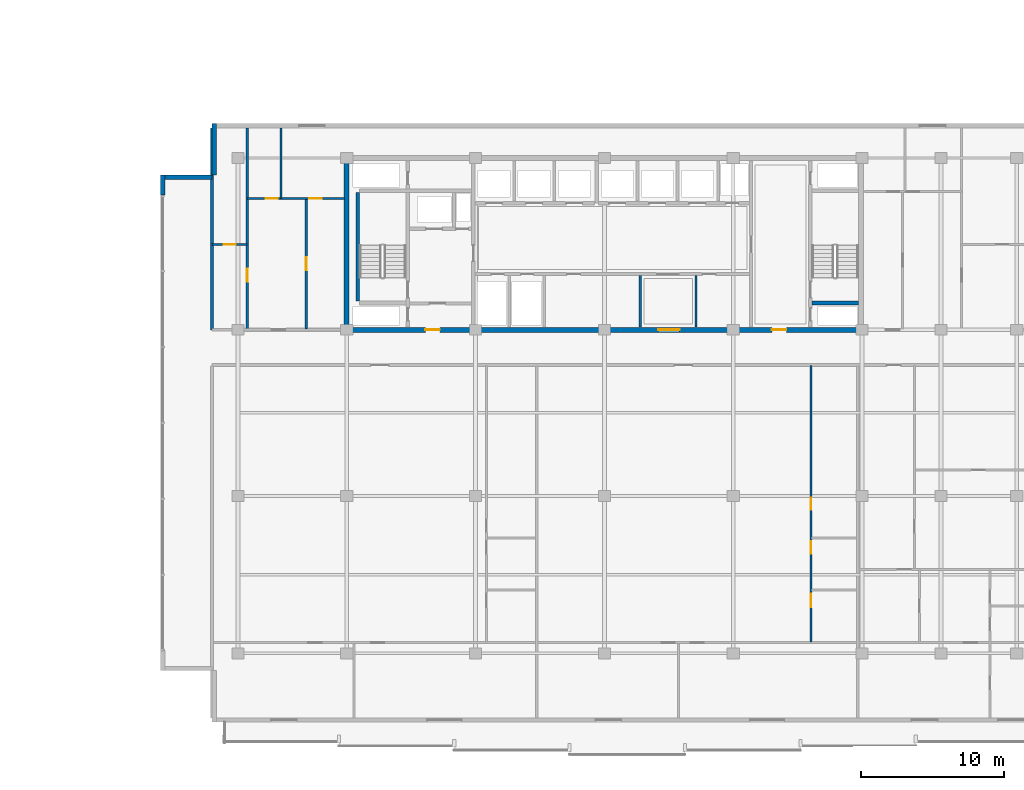
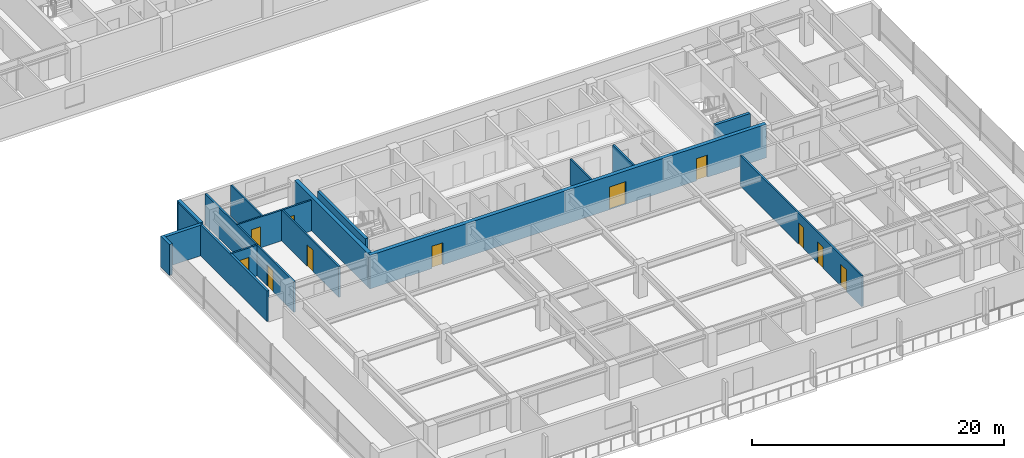
# One storey, part 22 of 38: 16 walls, 11 doors, 11 openings.
"""IFC4 building model written with IfcOpenShell, lengths in metres."""

import ifcopenshell
import ifcopenshell.guid

model = None  # the IFC model being written
_history = None  # IfcOwnerHistory: only IFC2X3 demands one
_inside = {}  # id of a spatial element -> (the spatial element, [elements in it])
_under = {}  # id of a project, library or spatial element -> (it, [spatial elements below it])
_declared = {}  # id of a project -> (the project, [libraries it declares])
_typed = {}  # id of a type object -> (the type object, [elements of that type])
_made_of = {}  # id of a material, layer set ... -> (it, [elements and type objects made of it])


def new_model(schema):
    """Start an empty IFC model of exactly this schema.

    Asked for "IFC4X3", IfcOpenShell would pick the latest addendum, in which some entities
    have other attributes; the version numbers below select the first issue.
    IFC2X3 requires an IfcOwnerHistory on every rooted entity: one is made here for all.
    """
    global model, _history
    if schema == "IFC4X3":
        model = ifcopenshell.file(schema_version=(4, 3, 0, 0))
    else:
        model = ifcopenshell.file(schema=schema)
    _inside.clear()
    _under.clear()
    _declared.clear()
    _typed.clear()
    _made_of.clear()
    _history = None
    if model.schema == "IFC2X3":
        org = make("IfcOrganization", Name="unknown")
        user = make(
            "IfcPersonAndOrganization",
            ThePerson=make("IfcPerson", FamilyName="unknown"),
            TheOrganization=org,
        )
        app = make(
            "IfcApplication",
            ApplicationDeveloper=org,
            Version="unknown",
            ApplicationFullName="unknown",
            ApplicationIdentifier="unknown",
        )
        _history = make(
            "IfcOwnerHistory",
            OwningUser=user,
            OwningApplication=app,
            ChangeAction="ADDED",
            CreationDate=0,
        )
    return model


def make(cls, **values):
    """One entity of the class cls with the attributes given. An attribute that is None is left unset."""
    return model.create_entity(
        cls, **{name: value for name, value in values.items() if value is not None}
    )


def rooted(cls, **values):
    """An entity with a GlobalId (a new one), such as an element, a storey or a relation."""
    return make(cls, GlobalId=ifcopenshell.guid.new(), OwnerHistory=_history, **values)


def si_unit(unit_type, name, prefix=None):
    """IfcSIUnit, for example si_unit("LENGTHUNIT", "METRE", prefix="MILLI")."""
    return make("IfcSIUnit", UnitType=unit_type, Prefix=prefix, Name=name)


def assignment(units):
    """IfcUnitAssignment: the units of a project."""
    return None if units is None else make("IfcUnitAssignment", Units=units)


def point(xyz):
    """IfcCartesianPoint."""
    return None if xyz is None else make("IfcCartesianPoint", Coordinates=xyz)


def direction(xyz):
    """IfcDirection."""
    return None if xyz is None else make("IfcDirection", DirectionRatios=xyz)


def frame(location, z_axis=None, x_axis=None):
    """IfcAxis2Placement3D, a coordinate frame: its origin and axes. An axis left out is left unset."""
    return make(
        "IfcAxis2Placement3D",
        Location=point(location),
        Axis=direction(z_axis),
        RefDirection=direction(x_axis),
    )


def frame_2d(location, x_axis=None):
    """IfcAxis2Placement2D, a coordinate frame in the plane: its origin and x axis."""
    return make(
        "IfcAxis2Placement2D", Location=point(location), RefDirection=direction(x_axis)
    )


def origin():
    """The frame at (0, 0, 0) with its axes left unset."""
    return frame((0.0, 0.0, 0.0))


def place(relative_to, where):
    """IfcLocalPlacement: puts the frame where relative to a parent placement (None: the world)."""
    return make(
        "IfcLocalPlacement", PlacementRelTo=relative_to, RelativePlacement=where
    )


def context(
    kind, dimensions, precision=None, world=None, true_north=None, identifier=None
):
    """IfcGeometricRepresentationContext, for example the 3D "Model" context."""
    return make(
        "IfcGeometricRepresentationContext",
        ContextIdentifier=identifier,
        ContextType=kind,
        CoordinateSpaceDimension=dimensions,
        Precision=precision,
        WorldCoordinateSystem=world,
        TrueNorth=true_north,
    )


def subcontext(parent, identifier, kind, view, scale=None):
    """IfcGeometricRepresentationSubContext, for example "Body" below "Model"."""
    return make(
        "IfcGeometricRepresentationSubContext",
        ContextIdentifier=identifier,
        ContextType=kind,
        ParentContext=parent,
        TargetScale=scale,
        TargetView=view,
    )


def project(units=None, contexts=None):
    """IfcProject with its units and contexts."""
    return rooted(
        "IfcProject",
        Name="project",
        RepresentationContexts=contexts,
        UnitsInContext=assignment(units),
    )


def spatial(cls, under=None, at=None, **own):
    """A site, building, storey or space (cls), placed at a placement, below another one or the project."""
    s = rooted(cls, ObjectPlacement=at, **own)
    if under is not None:
        _under.setdefault(under.id(), (under, []))[1].append(s)
    return s


def profile(cls, at=None, kind="AREA", **sizes):
    """A parametric profile (cls). Its sizes go by their IFC names, for example OverallWidth=200.0."""
    return make(cls, ProfileType=kind, Position=at, **sizes)


def rectangle(**sizes):
    """IfcRectangleProfileDef."""
    return profile("IfcRectangleProfileDef", **sizes)


def extrude(swept, where, along, depth):
    """IfcExtrudedAreaSolid: the profile swept, set in the frame where, extruded along a direction by depth."""
    return make(
        "IfcExtrudedAreaSolid",
        SweptArea=swept,
        Position=where,
        ExtrudedDirection=direction(along),
        Depth=depth,
    )


def shape(context_of_items, identifier, shape_type, items):
    """IfcShapeRepresentation: the items that make up one representation, for example the "Body"."""
    return make(
        "IfcShapeRepresentation",
        ContextOfItems=context_of_items,
        RepresentationIdentifier=identifier,
        RepresentationType=shape_type,
        Items=items,
    )


def material(Name=None, Category=None):
    """IfcMaterial."""
    return make("IfcMaterial", Name=Name, Category=Category)


def layer(
    of_material, thickness, ventilated=None, Name=None, Category=None, Priority=None
):
    """IfcMaterialLayer: one layer of a wall or slab, of a material (None: an air gap)."""
    return make(
        "IfcMaterialLayer",
        Material=of_material,
        LayerThickness=thickness,
        IsVentilated=ventilated,
        Name=Name,
        Category=Category,
        Priority=Priority,
    )


def layer_set(layers, Name=None):
    """IfcMaterialLayerSet."""
    return make("IfcMaterialLayerSet", MaterialLayers=layers, LayerSetName=Name)


def made_of(thing, what):
    """Note that an element or type object is made of a material, layer set ...; save() writes the relation."""
    if what is not None:
        _made_of.setdefault(what.id(), (what, []))[1].append(thing)
    return thing


def type_object(cls, material=None, **own):
    """A type object (cls), such as IfcWallType, which elements share."""
    return made_of(rooted(cls, **own), material)


def element(
    cls,
    number,
    at=None,
    inside=None,
    cuts=None,
    type_object=None,
    material=None,
    context=None,
    identifier="Body",
    shape_type=None,
    held_by="IfcProductDefinitionShape",
    body=None,
    shapes=None,
    **own,
):
    """One element of the class cls, such as IfcWall. Its Tag is "e" and its number.

    at: its placement. inside: the storey or other place that contains it. cuts: it is an
    opening in that element (IfcRelVoidsElement). A single representation is given by context,
    identifier, shape_type and body (its items); several are given by shapes. held_by: the class
    of the entity that holds the representations. save() writes the other relations.
    """
    e = rooted(cls, Tag="e%d" % number, ObjectPlacement=at, **own)
    if body is not None:
        shapes = [shape(context, identifier, shape_type, body)]
    if shapes is not None:
        e.Representation = make(held_by, Representations=shapes)
    if inside is not None:
        _inside.setdefault(inside.id(), (inside, []))[1].append(e)
    if cuts is not None:
        rooted(
            "IfcRelVoidsElement", RelatingBuildingElement=cuts, RelatedOpeningElement=e
        )
    if type_object is not None:
        _typed.setdefault(type_object.id(), (type_object, []))[1].append(e)
    return made_of(e, material)


def fill(opening, filler):
    """IfcRelFillsElement: the door or window that sits in an opening."""
    return rooted(
        "IfcRelFillsElement",
        RelatingOpeningElement=opening,
        RelatedBuildingElement=filler,
    )


def aggregate(whole, parts):
    """IfcRelAggregates: a whole, such as a stair, and the parts it consists of."""
    return rooted("IfcRelAggregates", RelatingObject=whole, RelatedObjects=parts)


def save(model, path):
    """Write the relations noted so far, then the file.

    IfcRelAggregates (storeys below a building ...), IfcRelContainedInSpatialStructure (elements
    in a storey), IfcRelDefinesByType, IfcRelAssociatesMaterial and IfcRelDeclares: one each for
    every whole, place, type object, material and project.
    """
    for whole, parts in _under.values():
        aggregate(whole, parts)
    for where, things in _inside.values():
        rooted(
            "IfcRelContainedInSpatialStructure",
            RelatedElements=things,
            RelatingStructure=where,
        )
    for kind, things in _typed.values():
        rooted("IfcRelDefinesByType", RelatedObjects=things, RelatingType=kind)
    for what, things in _made_of.values():
        rooted("IfcRelAssociatesMaterial", RelatedObjects=things, RelatingMaterial=what)
    for by, libraries in _declared.values():
        rooted("IfcRelDeclares", RelatingContext=by, RelatedDefinitions=libraries)
    model.write(path)


model = new_model("IFC4")

# Units and contexts
model_context = context("Model", 3, precision=1e-05, world=origin(), true_north=direction((0.0, 1.0)))
body_context = subcontext(model_context, "Body", "Model", "MODEL_VIEW")
ifc_project = project(units=[si_unit("LENGTHUNIT", "METRE"), si_unit("AREAUNIT", "SQUARE_METRE"), si_unit("VOLUMEUNIT", "CUBIC_METRE"), si_unit("PLANEANGLEUNIT", "RADIAN"), si_unit("MASSUNIT", "GRAM", prefix="KILO")], contexts=[model_context])

# Site, building, storey
site_placement = place(None, origin())
site = spatial("IfcSite", under=ifc_project, at=site_placement, CompositionType="ELEMENT")
building_placement = place(site_placement, origin())
building = spatial("IfcBuilding", under=site, at=building_placement, Name="Korimba Cascade Residences", CompositionType="ELEMENT")
storey_placement = place(building_placement, frame((0.0, 0.0, 93.800048828125)))
storey = spatial("IfcBuildingStorey", under=building, at=storey_placement, Name="L26", CompositionType="ELEMENT", Elevation=93.800048828125)

# Walls
ifc_material_1 = material(Name="Precast concrete C40/50", Category="concrete")
ifc_layer_1 = layer(ifc_material_1, 0.300048828125)
ifc_layer_set_1 = layer_set([ifc_layer_1], Name="Precast concrete C40/50")
wall_type_1 = type_object("IfcWallType", Name="EW-STONE-300", PredefinedType="STANDARD", material=ifc_layer_set_1)
wall_1_placement = place(storey_placement, frame((72.85009765625, 32.800048828125, 0.0), z_axis=(0.0, 0.0, 1.0), x_axis=(0.0, -1.0, 0.0)))
element("IfcWall", 1, at=wall_1_placement, inside=storey, type_object=wall_type_1, Name="L26 T2 Perimeter Stone Wall E07", PredefinedType="STANDARD", context=body_context, shape_type="SweptSolid", body=[
    extrude(rectangle(XDim=3.60009765625, YDim=0.300048828125, at=frame_2d((1.800048828125, 0.0))), origin(), (0.0, 0.0, 1.0), 2.969970703125),
])
wall_2_placement = place(storey_placement, frame((72.699951171875, 29.050048828125, 0.0), z_axis=(0.0, 0.0, 1.0), x_axis=(-1.0, 0.0, 0.0)))
element("IfcWall", 2, at=wall_2_placement, inside=storey, type_object=wall_type_1, Name="L26 T2 Perimeter Stone Wall E08", PredefinedType="STANDARD", context=body_context, shape_type="SweptSolid", body=[
    extrude(rectangle(XDim=3.599853515625, YDim=0.300048828125, at=frame_2d((1.7998046875, 0.0))), origin(), (0.0, 0.0, 1.0), 2.969970703125),
])
wall_3_placement = place(storey_placement, frame((69.25, 29.199951171875, 0.0), z_axis=(0.0, 0.0, 1.0), x_axis=(0.0, -1.0, 0.0)))
element("IfcWall", 3, at=wall_3_placement, inside=storey, type_object=wall_type_1, Name="L26 T2 Sky Pier 9A", PredefinedType="STANDARD", context=body_context, shape_type="SweptSolid", body=[
    extrude(rectangle(XDim=1.39990234375, YDim=0.300048828125, at=frame_2d((0.699951171875, 0.0))), origin(), (0.0, 0.0, 1.0), 2.969970703125),
])
ifc_material_2 = material(Name="Concrete C65/80", Category="concrete")
ifc_layer_2 = layer(ifc_material_2, 0.35009765625)
ifc_layer_set_2 = layer_set([ifc_layer_2], Name="Concrete C65/80")
wall_type_2 = type_object("IfcWallType", Name="WAL-CORE-350", PredefinedType="SHEAR", material=ifc_layer_set_2)
wall_4_placement = place(storey_placement, frame((82.10009765625, 18.574951171875, 0.0), z_axis=(0.0, 0.0, 1.0), x_axis=(0.0, 1.0, 0.0)))
element("IfcWall", 4, at=wall_4_placement, inside=storey, type_object=wall_type_2, Name="L26 Core Shear Wall CW-L26-T2-W", PredefinedType="SHEAR", context=body_context, shape_type="SweptSolid", body=[
    extrude(rectangle(XDim=11.650146484375, YDim=0.35009765625, at=frame_2d((5.8251953125, 0.0))), origin(), (0.0, 0.0, 1.0), 3.25),
])

# Wall, openings, doors
wall_5_placement = place(storey_placement, frame((81.925048828125, 18.39990234375, 0.0), z_axis=(0.0, 0.0, 1.0), x_axis=(1.0, 0.0, 0.0)))
wall_5 = element("IfcWall", 5, at=wall_5_placement, inside=storey, type_object=wall_type_2, Name="L26 Core Shear Wall CW-L26-T2-S", PredefinedType="SHEAR", context=body_context, shape_type="SweptSolid", body=[
    extrude(rectangle(XDim=36.264892578125, YDim=0.35009765625, at=frame_2d((18.13232421875, 0.0))), origin(), (0.0, 0.0, 1.0), 3.25),
])
opening_1_placement = place(wall_5_placement, frame((5.675048828125, 0.0, 0.0)))
opening_1 = element("IfcOpeningElement", 6, at=opening_1_placement, cuts=wall_5, Name="Opening D-FD5", PredefinedType="OPENING", context=body_context, shape_type="SweptSolid", body=[
    extrude(rectangle(XDim=1.0, YDim=2.14990234375, at=frame_2d((0.5, 1.074951171875))), frame((0.0, 0.18505859375, 0.0), z_axis=(0.0, -1.0, 0.0), x_axis=(1.0, 0.0, 0.0)), (0.0, 0.0, 1.0), 0.3701171875),
])
opening_2_placement = place(wall_5_placement, frame((21.925048828125, 0.0, 0.0)))
opening_2 = element("IfcOpeningElement", 7, at=opening_2_placement, cuts=wall_5, Name="Opening D-FD8", PredefinedType="OPENING", context=body_context, shape_type="SweptSolid", body=[
    extrude(rectangle(XDim=1.5, YDim=2.199951171875, at=frame_2d((0.75, 1.10009765625))), frame((0.0, 0.18505859375, 0.0), z_axis=(0.0, -1.0, 0.0), x_axis=(1.0, 0.0, 0.0)), (0.0, 0.0, 1.0), 0.3701171875),
])
opening_3_placement = place(wall_5_placement, frame((29.875, 0.0, 0.0)))
opening_3 = element("IfcOpeningElement", 8, at=opening_3_placement, cuts=wall_5, Name="Opening D-FD5", PredefinedType="OPENING", context=body_context, shape_type="SweptSolid", body=[
    extrude(rectangle(XDim=1.0, YDim=2.14990234375, at=frame_2d((0.5, 1.074951171875))), frame((0.0, 0.18505859375, 0.0), z_axis=(0.0, -1.0, 0.0), x_axis=(1.0, 0.0, 0.0)), (0.0, 0.0, 1.0), 0.3701171875),
])
ifc_material_3 = material(Name="Fire-Rated Acoustic Timber Vestibule Door", Category="wood")
door_type_1 = type_object("IfcDoorType", Name="DR-FD90-1000", OperationType="NOTDEFINED", PredefinedType="DOOR", material=ifc_material_3)
door_1_placement = place(opening_1_placement, origin())
door_1 = element("IfcDoor", 9, at=door_1_placement, inside=storey, type_object=door_type_1, Name="L26 T2 West Core Vestibule Fire Door", OperationType="SINGLE_SWING_RIGHT", OverallHeight=2.14990234375, OverallWidth=1.0, PredefinedType="DOOR", context=body_context, shape_type="SweptSolid", body=[
    extrude(rectangle(XDim=1.0, YDim=2.14990234375, at=frame_2d((0.5, 1.074951171875))), frame((0.0, 0.02490234375, 0.0), z_axis=(0.0, -1.0, 0.0), x_axis=(1.0, 0.0, 0.0)), (0.0, 0.0, 1.0), 0.050048828125),
])
fill(opening_1, door_1)
door_2_placement = place(opening_3_placement, origin())
door_2 = element("IfcDoor", 10, at=door_2_placement, inside=storey, type_object=door_type_1, Name="L26 T2 East Stair Vestibule Fire Door", OperationType="SINGLE_SWING_LEFT", OverallHeight=2.14990234375, OverallWidth=1.0, PredefinedType="DOOR", context=body_context, shape_type="SweptSolid", body=[
    extrude(rectangle(XDim=1.0, YDim=2.14990234375, at=frame_2d((0.5, 1.074951171875))), frame((0.0, 0.02490234375, 0.0), z_axis=(0.0, -1.0, 0.0), x_axis=(1.0, 0.0, 0.0)), (0.0, 0.0, 1.0), 0.050048828125),
])
fill(opening_3, door_2)
ifc_material_4 = material(Name="Fire-Rated Glazed Lift Lobby Double Door", Category="glass")
door_type_2 = type_object("IfcDoorType", Name="DR-FD90-1500", OperationType="NOTDEFINED", PredefinedType="DOOR", material=ifc_material_4)
door_3_placement = place(opening_2_placement, origin())
door_3 = element("IfcDoor", 11, at=door_3_placement, inside=storey, type_object=door_type_2, Name="L26 T2 Lift Lobby Fire Door", OperationType="DOUBLE_DOOR_SINGLE_SWING", OverallHeight=2.199951171875, OverallWidth=1.5, PredefinedType="DOOR", context=body_context, shape_type="SweptSolid", body=[
    extrude(rectangle(XDim=1.5, YDim=2.199951171875, at=frame_2d((0.75, 1.10009765625))), frame((0.0, 0.02490234375, 0.0), z_axis=(0.0, -1.0, 0.0), x_axis=(1.0, 0.0, 0.0)), (0.0, 0.0, 1.0), 0.050048828125),
])
fill(opening_2, door_3)

# Walls
ifc_layer_3 = layer(ifc_material_1, 0.199951171875)
ifc_layer_set_3 = layer_set([ifc_layer_3], Name="Precast concrete C40/50")
wall_type_3 = type_object("IfcWallType", Name="WAL-IT-200", PredefinedType="PARTITIONING", material=ifc_layer_set_3)
wall_6_placement = place(storey_placement, frame((72.699951171875, 18.39990234375, 0.0), z_axis=(0.0, 0.0, 1.0), x_axis=(0.0, 1.0, 0.0)))
element("IfcWall", 12, at=wall_6_placement, inside=storey, type_object=wall_type_3, Name="L26 Partition Wall WAL-L26-T2-FW-WL", PredefinedType="PARTITIONING", context=body_context, shape_type="SweptSolid", body=[
    extrude(rectangle(XDim=14.10009765625, YDim=0.199951171875, at=frame_2d((7.050048828125, 0.0))), origin(), (0.0, 0.0, 1.0), 2.969970703125),
])
ifc_material_5 = material(Name="Insulated Acoustic Stud Partition", Category="gypsum")
ifc_layer_4 = layer(ifc_material_5, 0.14990234375)
ifc_layer_set_4 = layer_set([ifc_layer_4], Name="Insulated Acoustic Stud Partition")
wall_type_4 = type_object("IfcWallType", Name="WAL-PART-150", PredefinedType="PARTITIONING", material=ifc_layer_set_4)
for number, where, z_axis, x_axis, name in (
    (13, (102.60009765625, 18.60009765625, 0.0), (0.0, 0.0, 1.0), (0.0, 1.0, 0.0), "L26 Partition Wall CW-L26-T2-THW"),
    (14, (106.5, 18.60009765625, 0.0), (0.0, 0.0, 1.0), (0.0, 1.0, 0.0), "L26 Partition Wall CW-L26-T2-THE"),
):
    element("IfcWall", number, at=place(storey_placement, frame(where, z_axis=z_axis, x_axis=x_axis)), inside=storey, type_object=wall_type_4, Name=name, PredefinedType="PARTITIONING", context=body_context, shape_type="SweptSolid", body=[
        extrude(rectangle(XDim=3.599853515625, YDim=0.14990234375, at=frame_2d((1.7998046875, 0.0))), origin(), (0.0, 0.0, 1.0), 2.969970703125),
    ])

# Wall, opening, door
wall_7_placement = place(storey_placement, frame((72.699951171875, 24.35009765625, 0.0), z_axis=(0.0, 0.0, 1.0), x_axis=(1.0, 0.0, 0.0)))
wall_7 = element("IfcWall", 15, at=wall_7_placement, inside=storey, type_object=wall_type_4, Name="L26 Partition Wall WAL-L26-T2-FW-STH", PredefinedType="PARTITIONING", context=body_context, shape_type="SweptSolid", body=[
    extrude(rectangle(XDim=2.449951171875, YDim=0.14990234375, at=frame_2d((1.22509765625, 0.0))), origin(), (0.0, 0.0, 1.0), 2.969970703125),
])
opening_4_placement = place(wall_7_placement, frame((0.804931640625, 0.0, 0.0)))
opening_4 = element("IfcOpeningElement", 16, at=opening_4_placement, cuts=wall_7, Name="Opening D-BT1", PredefinedType="OPENING", context=body_context, shape_type="SweptSolid", body=[
    extrude(rectangle(XDim=0.840087890625, YDim=2.0400390625, at=frame_2d((0.419921875, 1.02001953125))), frame((0.0, 0.0849609375, 0.0), z_axis=(0.0, -1.0, 0.0), x_axis=(1.0, 0.0, 0.0)), (0.0, 0.0, 1.0), 0.169921875),
])
ifc_material_6 = material(Name="Moisture-Resistant Bathroom Timber Door", Category="wood")
door_type_3 = type_object("IfcDoorType", Name="DR-INT-850", OperationType="NOTDEFINED", PredefinedType="DOOR", material=ifc_material_6)
door_4_placement = place(opening_4_placement, origin())
door_4 = element("IfcDoor", 17, at=door_4_placement, inside=storey, type_object=door_type_3, Name="L26-T2-FW Dressing Store Door", OperationType="SINGLE_SWING_LEFT", OverallHeight=2.0400390625, OverallWidth=0.840087890625, PredefinedType="DOOR", context=body_context, shape_type="SweptSolid", body=[
    extrude(rectangle(XDim=0.840087890625, YDim=2.0400390625, at=frame_2d((0.419921875, 1.02001953125))), frame((0.0, 0.02490234375, 0.0), z_axis=(0.0, -1.0, 0.0), x_axis=(1.0, 0.0, 0.0)), (0.0, 0.0, 1.0), 0.050048828125),
])
fill(opening_4, door_4)

wall_8_placement = place(storey_placement, frame((75.14990234375, 18.449951171875, 0.0), z_axis=(0.0, 0.0, 1.0), x_axis=(0.0, 1.0, 0.0)))
wall_8 = element("IfcWall", 18, at=wall_8_placement, inside=storey, type_object=wall_type_4, Name="L26 Partition Wall WAL-L26-T2-FW-STV", PredefinedType="PARTITIONING", context=body_context, shape_type="SweptSolid", body=[
    extrude(rectangle(XDim=14.050048828125, YDim=0.14990234375, at=frame_2d((7.02490234375, 0.0))), origin(), (0.0, 0.0, 1.0), 2.969970703125),
])
opening_5_placement = place(wall_8_placement, frame((3.320068359375, 0.0, 0.0)))
opening_5 = element("IfcOpeningElement", 19, at=opening_5_placement, cuts=wall_8, Name="Opening D-IN2", PredefinedType="OPENING", context=body_context, shape_type="SweptSolid", body=[
    extrude(rectangle(XDim=0.8798828125, YDim=2.06005859375, at=frame_2d((0.43994140625, 1.030029296875))), frame((0.0, 0.0849609375, 0.0), z_axis=(0.0, -1.0, 0.0), x_axis=(1.0, 0.0, 0.0)), (0.0, 0.0, 1.0), 0.169921875),
])
ifc_material_7 = material(Name="Acoustic Timber Bedroom Door", Category="wood")
door_type_4 = type_object("IfcDoorType", Name="DR-INT-880", OperationType="NOTDEFINED", PredefinedType="DOOR", material=ifc_material_7)
door_5_placement = place(opening_5_placement, origin())
door_5 = element("IfcDoor", 20, at=door_5_placement, inside=storey, type_object=door_type_4, Name="L26-T2-FW Study Door", OperationType="SINGLE_SWING_RIGHT", OverallHeight=2.06005859375, OverallWidth=0.8798828125, PredefinedType="DOOR", context=body_context, shape_type="SweptSolid", body=[
    extrude(rectangle(XDim=0.8798828125, YDim=2.06005859375, at=frame_2d((0.43994140625, 1.030029296875))), frame((0.0, 0.02490234375, 0.0), z_axis=(0.0, -1.0, 0.0), x_axis=(1.0, 0.0, 0.0)), (0.0, 0.0, 1.0), 0.050048828125),
])
fill(opening_5, door_5)

wall_9_placement = place(storey_placement, frame((79.27001953125, 18.449951171875, 0.0), z_axis=(0.0, 0.0, 1.0), x_axis=(0.0, 1.0, 0.0)))
wall_9 = element("IfcWall", 21, at=wall_9_placement, inside=storey, type_object=wall_type_4, Name="L26 Partition Wall WAL-L26-T2-FW-VS", PredefinedType="PARTITIONING", context=body_context, shape_type="SweptSolid", body=[
    extrude(rectangle(XDim=9.1201171875, YDim=0.14990234375, at=frame_2d((4.56005859375, 0.0))), origin(), (0.0, 0.0, 1.0), 2.969970703125),
])
opening_6_placement = place(wall_9_placement, frame((4.10009765625, 0.0, 0.0)))
opening_6 = element("IfcOpeningElement", 22, at=opening_6_placement, cuts=wall_9, Name="Opening D-IN1", PredefinedType="OPENING", context=body_context, shape_type="SweptSolid", body=[
    extrude(rectangle(XDim=0.919921875, YDim=2.080078125, at=frame_2d((0.4599609375, 1.0400390625))), frame((0.0, 0.0849609375, 0.0), z_axis=(0.0, -1.0, 0.0), x_axis=(1.0, 0.0, 0.0)), (0.0, 0.0, 1.0), 0.169921875),
])
ifc_material_8 = material(Name="Acoustic Timber Living Door", Category="wood")
door_type_5 = type_object("IfcDoorType", Name="DR-INT-920", OperationType="NOTDEFINED", PredefinedType="DOOR", material=ifc_material_8)
door_6_placement = place(opening_6_placement, origin())
door_6 = element("IfcDoor", 23, at=door_6_placement, inside=storey, type_object=door_type_5, Name="L26-T2-FW Living Door", OperationType="SINGLE_SWING_LEFT", OverallHeight=2.080078125, OverallWidth=0.919921875, PredefinedType="DOOR", context=body_context, shape_type="SweptSolid", body=[
    extrude(rectangle(XDim=0.919921875, YDim=2.080078125, at=frame_2d((0.4599609375, 1.0400390625))), frame((0.0, 0.02490234375, 0.0), z_axis=(0.0, -1.0, 0.0), x_axis=(1.0, 0.0, 0.0)), (0.0, 0.0, 1.0), 0.050048828125),
])
fill(opening_6, door_6)

# Wall
wall_10_placement = place(storey_placement, frame((77.5, 27.570068359375, 0.0), z_axis=(0.0, 0.0, 1.0), x_axis=(0.0, 1.0, 0.0)))
element("IfcWall", 24, at=wall_10_placement, inside=storey, type_object=wall_type_4, Name="L26 Partition Wall WAL-L26-T2-FW-VN", PredefinedType="PARTITIONING", context=body_context, shape_type="SweptSolid", body=[
    extrude(rectangle(XDim=4.929931640625, YDim=0.14990234375, at=frame_2d((2.46484375, 0.0))), origin(), (0.0, 0.0, 1.0), 2.969970703125),
])

# Wall, openings, doors
wall_11_placement = place(storey_placement, frame((75.169921875, 27.570068359375, 0.0), z_axis=(0.0, 0.0, 1.0), x_axis=(1.0, 0.0, 0.0)))
wall_11 = element("IfcWall", 25, at=wall_11_placement, inside=storey, type_object=wall_type_4, Name="L26 Partition Wall WAL-L26-T2-FW-H", PredefinedType="PARTITIONING", context=body_context, shape_type="SweptSolid", body=[
    extrude(rectangle(XDim=6.760009765625, YDim=0.14990234375, at=frame_2d((3.3798828125, 0.0))), origin(), (0.0, 0.0, 1.0), 2.969970703125),
])
opening_7_placement = place(wall_11_placement, frame((1.266357421875, 0.0, 0.0)))
opening_7 = element("IfcOpeningElement", 26, at=opening_7_placement, cuts=wall_11, Name="Opening D-BT1", PredefinedType="OPENING", context=body_context, shape_type="SweptSolid", body=[
    extrude(rectangle(XDim=0.840087890625, YDim=2.0400390625, at=frame_2d((0.419921875, 1.02001953125))), frame((0.0, 0.0849609375, 0.0), z_axis=(0.0, -1.0, 0.0), x_axis=(1.0, 0.0, 0.0)), (0.0, 0.0, 1.0), 0.169921875),
])
opening_8_placement = place(wall_11_placement, frame((4.320068359375, 0.0, 0.0)))
opening_8 = element("IfcOpeningElement", 27, at=opening_8_placement, cuts=wall_11, Name="Opening D-IN2", PredefinedType="OPENING", context=body_context, shape_type="SweptSolid", body=[
    extrude(rectangle(XDim=0.8798828125, YDim=2.06005859375, at=frame_2d((0.43994140625, 1.030029296875))), frame((0.0, 0.0849609375, 0.0), z_axis=(0.0, -1.0, 0.0), x_axis=(1.0, 0.0, 0.0)), (0.0, 0.0, 1.0), 0.169921875),
])
door_7_placement = place(opening_7_placement, origin())
door_7 = element("IfcDoor", 28, at=door_7_placement, inside=storey, type_object=door_type_3, Name="L26-T2-FW Bathroom Door", OperationType="SINGLE_SWING_RIGHT", OverallHeight=2.0400390625, OverallWidth=0.840087890625, PredefinedType="DOOR", context=body_context, shape_type="SweptSolid", body=[
    extrude(rectangle(XDim=0.840087890625, YDim=2.0400390625, at=frame_2d((0.419921875, 1.02001953125))), frame((0.0, 0.02490234375, 0.0), z_axis=(0.0, -1.0, 0.0), x_axis=(1.0, 0.0, 0.0)), (0.0, 0.0, 1.0), 0.050048828125),
])
fill(opening_7, door_7)
door_8_placement = place(opening_8_placement, origin())
door_8 = element("IfcDoor", 29, at=door_8_placement, inside=storey, type_object=door_type_4, Name="L26-T2-FW Bedroom Door", OperationType="SINGLE_SWING_LEFT", OverallHeight=2.06005859375, OverallWidth=0.8798828125, PredefinedType="DOOR", context=body_context, shape_type="SweptSolid", body=[
    extrude(rectangle(XDim=0.8798828125, YDim=2.06005859375, at=frame_2d((0.43994140625, 1.030029296875))), frame((0.0, 0.02490234375, 0.0), z_axis=(0.0, -1.0, 0.0), x_axis=(1.0, 0.0, 0.0)), (0.0, 0.0, 1.0), 0.050048828125),
])
fill(opening_8, door_8)

wall_12_placement = place(storey_placement, frame((114.5185546875, -3.389892578125, 0.0), z_axis=(0.0, 0.0, 1.0), x_axis=(0.0, 1.0, 0.0)))
wall_12 = element("IfcWall", 30, at=wall_12_placement, inside=storey, type_object=wall_type_4, Name="L26 Partition Wall WAL-L26-T2-U02-WCV", PredefinedType="PARTITIONING", context=body_context, shape_type="SweptSolid", body=[
    extrude(rectangle(XDim=19.27978515625, YDim=0.14990234375, at=frame_2d((9.639892578125, 0.0))), origin(), (0.0, 0.0, 1.0), 2.969970703125),
])
opening_9_placement = place(wall_12_placement, frame((2.406005859375, 0.0, 0.0)))
opening_9 = element("IfcOpeningElement", 31, at=opening_9_placement, cuts=wall_12, Name="Opening D-AC1", PredefinedType="OPENING", context=body_context, shape_type="SweptSolid", body=[
    extrude(rectangle(XDim=0.9599609375, YDim=2.10009765625, at=frame_2d((0.47998046875, 1.050048828125))), frame((0.0, 0.0849609375, 0.0), z_axis=(0.0, -1.0, 0.0), x_axis=(1.0, 0.0, 0.0)), (0.0, 0.0, 1.0), 0.169921875),
])
opening_10_placement = place(wall_12_placement, frame((6.132568359375, 0.0, 0.0)))
opening_10 = element("IfcOpeningElement", 32, at=opening_10_placement, cuts=wall_12, Name="Opening D-IN2", PredefinedType="OPENING", context=body_context, shape_type="SweptSolid", body=[
    extrude(rectangle(XDim=0.8798828125, YDim=2.06005859375, at=frame_2d((0.43994140625, 1.030029296875))), frame((0.0, 0.0849609375, 0.0), z_axis=(0.0, -1.0, 0.0), x_axis=(1.0, 0.0, 0.0)), (0.0, 0.0, 1.0), 0.169921875),
])
opening_11_placement = place(wall_12_placement, frame((9.219970703125, 0.0, 0.0)))
opening_11 = element("IfcOpeningElement", 33, at=opening_11_placement, cuts=wall_12, Name="Opening D-BT1", PredefinedType="OPENING", context=body_context, shape_type="SweptSolid", body=[
    extrude(rectangle(XDim=0.840087890625, YDim=2.0400390625, at=frame_2d((0.419921875, 1.02001953125))), frame((0.0, 0.0849609375, 0.0), z_axis=(0.0, -1.0, 0.0), x_axis=(1.0, 0.0, 0.0)), (0.0, 0.0, 1.0), 0.169921875),
])
ifc_material_9 = material(Name="Accessible Acoustic Timber WC Door", Category="wood")
door_type_6 = type_object("IfcDoorType", Name="DR-ACC-950", OperationType="NOTDEFINED", PredefinedType="DOOR", material=ifc_material_9)
door_9_placement = place(opening_9_placement, origin())
door_9 = element("IfcDoor", 34, at=door_9_placement, inside=storey, type_object=door_type_6, Name="L26-T2-U02 Accessible WC Door", OperationType="SINGLE_SWING_RIGHT", OverallHeight=2.10009765625, OverallWidth=0.9599609375, PredefinedType="DOOR", context=body_context, shape_type="SweptSolid", body=[
    extrude(rectangle(XDim=0.9599609375, YDim=2.10009765625, at=frame_2d((0.47998046875, 1.050048828125))), frame((0.0, 0.02490234375, 0.0), z_axis=(0.0, -1.0, 0.0), x_axis=(1.0, 0.0, 0.0)), (0.0, 0.0, 1.0), 0.050048828125),
])
fill(opening_9, door_9)
door_10_placement = place(opening_11_placement, origin())
door_10 = element("IfcDoor", 35, at=door_10_placement, inside=storey, type_object=door_type_3, Name="L26-T2-U02 Suite Store Door", OperationType="SINGLE_SWING_RIGHT", OverallHeight=2.0400390625, OverallWidth=0.840087890625, PredefinedType="DOOR", context=body_context, shape_type="SweptSolid", body=[
    extrude(rectangle(XDim=0.840087890625, YDim=2.0400390625, at=frame_2d((0.419921875, 1.02001953125))), frame((0.0, 0.02490234375, 0.0), z_axis=(0.0, -1.0, 0.0), x_axis=(1.0, 0.0, 0.0)), (0.0, 0.0, 1.0), 0.050048828125),
])
fill(opening_11, door_10)
door_11_placement = place(opening_10_placement, origin())
door_11 = element("IfcDoor", 36, at=door_11_placement, inside=storey, type_object=door_type_4, Name="L26-T2-U02 Restroom WC Door", OperationType="SINGLE_SWING_LEFT", OverallHeight=2.06005859375, OverallWidth=0.8798828125, PredefinedType="DOOR", context=body_context, shape_type="SweptSolid", body=[
    extrude(rectangle(XDim=0.8798828125, YDim=2.06005859375, at=frame_2d((0.43994140625, 1.030029296875))), frame((0.0, 0.02490234375, 0.0), z_axis=(0.0, -1.0, 0.0), x_axis=(1.0, 0.0, 0.0)), (0.0, 0.0, 1.0), 0.050048828125),
])
fill(opening_10, door_11)

# Walls
ifc_material_10 = material(Name="Concrete C50/60", Category="concrete")
ifc_layer_5 = layer(ifc_material_10, 0.25)
ifc_layer_set_5 = layer_set([ifc_layer_5], Name="Concrete C50/60")
wall_type_5 = type_object("IfcWallType", Name="WAL-SHAFT-250", PredefinedType="SHEAR", material=ifc_layer_set_5)
wall_13_placement = place(storey_placement, frame((82.875, 20.39990234375, 0.0), z_axis=(0.0, 0.0, 1.0), x_axis=(0.0, 1.0, 0.0)))
element("IfcWall", 37, at=wall_13_placement, inside=storey, type_object=wall_type_5, Name="L26 Core Shear Wall CW-L26-T2-STE1W", PredefinedType="SHEAR", context=body_context, shape_type="SweptSolid", body=[
    extrude(rectangle(XDim=7.60009765625, YDim=0.25, at=frame_2d((3.800048828125, 0.0))), origin(), (0.0, 0.0, 1.0), 3.25),
])
wall_14_placement = place(storey_placement, frame((114.60009765625, 20.27490234375, 0.0), z_axis=(0.0, 0.0, 1.0), x_axis=(1.0, 0.0, 0.0)))
element("IfcWall", 38, at=wall_14_placement, inside=storey, type_object=wall_type_5, Name="L26 Core Shear Wall CW-L26-T2-STE2S", PredefinedType="SHEAR", context=body_context, shape_type="SweptSolid", body=[
    extrude(rectangle(XDim=3.239990234375, YDim=0.25, at=frame_2d((1.6201171875, 0.0))), origin(), (0.0, 0.0, 1.0), 3.25),
])

save(model, "model.ifc")
